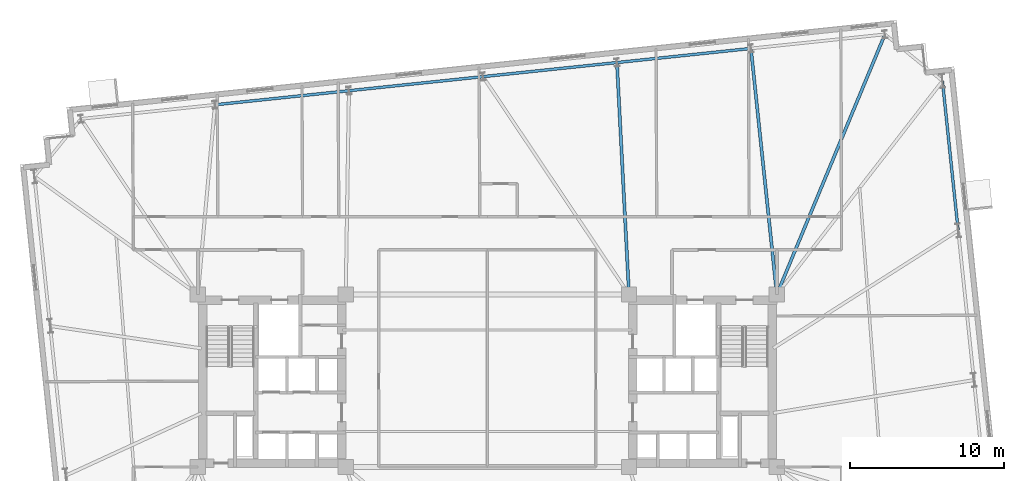
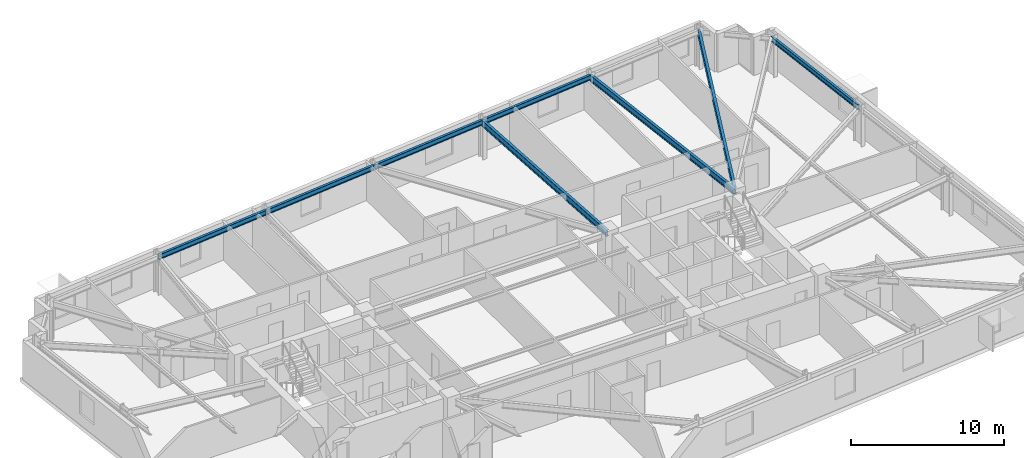
# One storey, part 9 of 17: 8 beams.
"""IFC4 building model written with IfcOpenShell, lengths in metres."""

import ifcopenshell
import ifcopenshell.guid

model = None  # the IFC model being written
_history = None  # IfcOwnerHistory: only IFC2X3 demands one
_inside = {}  # id of a spatial element -> (the spatial element, [elements in it])
_under = {}  # id of a project, library or spatial element -> (it, [spatial elements below it])
_declared = {}  # id of a project -> (the project, [libraries it declares])
_typed = {}  # id of a type object -> (the type object, [elements of that type])
_made_of = {}  # id of a material, layer set ... -> (it, [elements and type objects made of it])


def new_model(schema):
    """Start an empty IFC model of exactly this schema.

    Asked for "IFC4X3", IfcOpenShell would pick the latest addendum, in which some entities
    have other attributes; the version numbers below select the first issue.
    IFC2X3 requires an IfcOwnerHistory on every rooted entity: one is made here for all.
    """
    global model, _history
    if schema == "IFC4X3":
        model = ifcopenshell.file(schema_version=(4, 3, 0, 0))
    else:
        model = ifcopenshell.file(schema=schema)
    _inside.clear()
    _under.clear()
    _declared.clear()
    _typed.clear()
    _made_of.clear()
    _history = None
    if model.schema == "IFC2X3":
        org = make("IfcOrganization", Name="unknown")
        user = make(
            "IfcPersonAndOrganization",
            ThePerson=make("IfcPerson", FamilyName="unknown"),
            TheOrganization=org,
        )
        app = make(
            "IfcApplication",
            ApplicationDeveloper=org,
            Version="unknown",
            ApplicationFullName="unknown",
            ApplicationIdentifier="unknown",
        )
        _history = make(
            "IfcOwnerHistory",
            OwningUser=user,
            OwningApplication=app,
            ChangeAction="ADDED",
            CreationDate=0,
        )
    return model


def make(cls, **values):
    """One entity of the class cls with the attributes given. An attribute that is None is left unset."""
    return model.create_entity(
        cls, **{name: value for name, value in values.items() if value is not None}
    )


def rooted(cls, **values):
    """An entity with a GlobalId (a new one), such as an element, a storey or a relation."""
    return make(cls, GlobalId=ifcopenshell.guid.new(), OwnerHistory=_history, **values)


def si_unit(unit_type, name, prefix=None):
    """IfcSIUnit, for example si_unit("LENGTHUNIT", "METRE", prefix="MILLI")."""
    return make("IfcSIUnit", UnitType=unit_type, Prefix=prefix, Name=name)


def assignment(units):
    """IfcUnitAssignment: the units of a project."""
    return None if units is None else make("IfcUnitAssignment", Units=units)


def point(xyz):
    """IfcCartesianPoint."""
    return None if xyz is None else make("IfcCartesianPoint", Coordinates=xyz)


def direction(xyz):
    """IfcDirection."""
    return None if xyz is None else make("IfcDirection", DirectionRatios=xyz)


def frame(location, z_axis=None, x_axis=None):
    """IfcAxis2Placement3D, a coordinate frame: its origin and axes. An axis left out is left unset."""
    return make(
        "IfcAxis2Placement3D",
        Location=point(location),
        Axis=direction(z_axis),
        RefDirection=direction(x_axis),
    )


def frame_2d(location, x_axis=None):
    """IfcAxis2Placement2D, a coordinate frame in the plane: its origin and x axis."""
    return make(
        "IfcAxis2Placement2D", Location=point(location), RefDirection=direction(x_axis)
    )


def origin():
    """The frame at (0, 0, 0) with its axes left unset."""
    return frame((0.0, 0.0, 0.0))


def origin_2d():
    """The frame at (0, 0) in the plane with its x axis left unset."""
    return frame_2d((0.0, 0.0))


def place(relative_to, where):
    """IfcLocalPlacement: puts the frame where relative to a parent placement (None: the world)."""
    return make(
        "IfcLocalPlacement", PlacementRelTo=relative_to, RelativePlacement=where
    )


def context(
    kind, dimensions, precision=None, world=None, true_north=None, identifier=None
):
    """IfcGeometricRepresentationContext, for example the 3D "Model" context."""
    return make(
        "IfcGeometricRepresentationContext",
        ContextIdentifier=identifier,
        ContextType=kind,
        CoordinateSpaceDimension=dimensions,
        Precision=precision,
        WorldCoordinateSystem=world,
        TrueNorth=true_north,
    )


def subcontext(parent, identifier, kind, view, scale=None):
    """IfcGeometricRepresentationSubContext, for example "Body" below "Model"."""
    return make(
        "IfcGeometricRepresentationSubContext",
        ContextIdentifier=identifier,
        ContextType=kind,
        ParentContext=parent,
        TargetScale=scale,
        TargetView=view,
    )


def project(units=None, contexts=None):
    """IfcProject with its units and contexts."""
    return rooted(
        "IfcProject",
        Name="project",
        RepresentationContexts=contexts,
        UnitsInContext=assignment(units),
    )


def spatial(cls, under=None, at=None, **own):
    """A site, building, storey or space (cls), placed at a placement, below another one or the project."""
    s = rooted(cls, ObjectPlacement=at, **own)
    if under is not None:
        _under.setdefault(under.id(), (under, []))[1].append(s)
    return s


def profile(cls, at=None, kind="AREA", **sizes):
    """A parametric profile (cls). Its sizes go by their IFC names, for example OverallWidth=200.0."""
    return make(cls, ProfileType=kind, Position=at, **sizes)


def i_section(**sizes):
    """IfcIShapeProfileDef."""
    return profile("IfcIShapeProfileDef", **sizes)


def extrude(swept, where, along, depth):
    """IfcExtrudedAreaSolid: the profile swept, set in the frame where, extruded along a direction by depth."""
    return make(
        "IfcExtrudedAreaSolid",
        SweptArea=swept,
        Position=where,
        ExtrudedDirection=direction(along),
        Depth=depth,
    )


def shape(context_of_items, identifier, shape_type, items):
    """IfcShapeRepresentation: the items that make up one representation, for example the "Body"."""
    return make(
        "IfcShapeRepresentation",
        ContextOfItems=context_of_items,
        RepresentationIdentifier=identifier,
        RepresentationType=shape_type,
        Items=items,
    )


def material(Name=None, Category=None):
    """IfcMaterial."""
    return make("IfcMaterial", Name=Name, Category=Category)


def material_profile(
    of_material, cross_section, Name=None, Category=None, Priority=None
):
    """IfcMaterialProfile: a cross section and its material."""
    return make(
        "IfcMaterialProfile",
        Name=Name,
        Material=of_material,
        Profile=cross_section,
        Priority=Priority,
        Category=Category,
    )


def profile_set(profiles, Name=None, composite=None):
    """IfcMaterialProfileSet."""
    return make(
        "IfcMaterialProfileSet",
        Name=Name,
        MaterialProfiles=profiles,
        CompositeProfile=composite,
    )


def made_of(thing, what):
    """Note that an element or type object is made of a material, layer set ...; save() writes the relation."""
    if what is not None:
        _made_of.setdefault(what.id(), (what, []))[1].append(thing)
    return thing


def type_object(cls, material=None, **own):
    """A type object (cls), such as IfcWallType, which elements share."""
    return made_of(rooted(cls, **own), material)


def element(
    cls,
    number,
    at=None,
    inside=None,
    cuts=None,
    type_object=None,
    material=None,
    context=None,
    identifier="Body",
    shape_type=None,
    held_by="IfcProductDefinitionShape",
    body=None,
    shapes=None,
    **own,
):
    """One element of the class cls, such as IfcWall. Its Tag is "e" and its number.

    at: its placement. inside: the storey or other place that contains it. cuts: it is an
    opening in that element (IfcRelVoidsElement). A single representation is given by context,
    identifier, shape_type and body (its items); several are given by shapes. held_by: the class
    of the entity that holds the representations. save() writes the other relations.
    """
    e = rooted(cls, Tag="e%d" % number, ObjectPlacement=at, **own)
    if body is not None:
        shapes = [shape(context, identifier, shape_type, body)]
    if shapes is not None:
        e.Representation = make(held_by, Representations=shapes)
    if inside is not None:
        _inside.setdefault(inside.id(), (inside, []))[1].append(e)
    if cuts is not None:
        rooted(
            "IfcRelVoidsElement", RelatingBuildingElement=cuts, RelatedOpeningElement=e
        )
    if type_object is not None:
        _typed.setdefault(type_object.id(), (type_object, []))[1].append(e)
    return made_of(e, material)


def aggregate(whole, parts):
    """IfcRelAggregates: a whole, such as a stair, and the parts it consists of."""
    return rooted("IfcRelAggregates", RelatingObject=whole, RelatedObjects=parts)


def save(model, path):
    """Write the relations noted so far, then the file.

    IfcRelAggregates (storeys below a building ...), IfcRelContainedInSpatialStructure (elements
    in a storey), IfcRelDefinesByType, IfcRelAssociatesMaterial and IfcRelDeclares: one each for
    every whole, place, type object, material and project.
    """
    for whole, parts in _under.values():
        aggregate(whole, parts)
    for where, things in _inside.values():
        rooted(
            "IfcRelContainedInSpatialStructure",
            RelatedElements=things,
            RelatingStructure=where,
        )
    for kind, things in _typed.values():
        rooted("IfcRelDefinesByType", RelatedObjects=things, RelatingType=kind)
    for what, things in _made_of.values():
        rooted("IfcRelAssociatesMaterial", RelatedObjects=things, RelatingMaterial=what)
    for by, libraries in _declared.values():
        rooted("IfcRelDeclares", RelatingContext=by, RelatedDefinitions=libraries)
    model.write(path)


model = new_model("IFC4")

# Units and contexts
model_context = context("Model", 3, precision=1e-05, world=origin(), true_north=direction((0.0, 1.0)))
body_context = subcontext(model_context, "Body", "Model", "MODEL_VIEW")
ifc_project = project(units=[si_unit("LENGTHUNIT", "METRE"), si_unit("AREAUNIT", "SQUARE_METRE"), si_unit("VOLUMEUNIT", "CUBIC_METRE"), si_unit("PLANEANGLEUNIT", "RADIAN"), si_unit("MASSUNIT", "GRAM", prefix="KILO")], contexts=[model_context])

# Site, building, storey
site_placement = place(None, origin())
site = spatial("IfcSite", under=ifc_project, at=site_placement, CompositionType="ELEMENT")
building_placement = place(site_placement, origin())
building = spatial("IfcBuilding", under=site, at=building_placement, Name="Qobustan Lattice House", CompositionType="ELEMENT")
storey_placement = place(building_placement, frame((0.0, 0.0, 105.800048828125)))
storey = spatial("IfcBuildingStorey", under=building, at=storey_placement, Name="L29", CompositionType="ELEMENT", Elevation=105.800048828125)

# Beams
ifc_material_1 = material(Name="Steel S355", Category="steel")
ifc_material_profile_1 = material_profile(ifc_material_1, i_section(OverallWidth=0.199951171875, OverallDepth=0.5, WebThickness=0.01025390625, FlangeThickness=0.01611328125, FilletRadius=0.02099609375, at=origin_2d()), Name="IPE500")
ifc_profile_set_1 = profile_set([ifc_material_profile_1], Name="Steel S355")
beam_type_1 = type_object("IfcBeamType", Name="BM-FLG-IPE500", PredefinedType="USERDEFINED", material=ifc_profile_set_1)
beam_1_placement = place(storey_placement, frame((8.41650390625, 20.640625, 2.794921875), z_axis=(0.052023629628, -0.998645854125, 0.0), x_axis=(0.998645854125, 0.052023629628, 0.0)))
element("IfcBeam", 1, at=beam_1_placement, inside=storey, type_object=beam_type_1, Name="L29 primary floor girder RAD-N3", ObjectType="GIRDER", PredefinedType="USERDEFINED", context=body_context, shape_type="SweptSolid", body=[
    extrude(i_section(OverallWidth=0.199951171875, OverallDepth=0.5, WebThickness=0.01025390625, FlangeThickness=0.01611328125, FilletRadius=0.02099609375, at=origin_2d()), origin(), (0.0, 0.0, 1.0), 15.035888671875),
])
beam_2_placement = place(storey_placement, frame((17.1201171875, 21.555419921875, 2.794921875), z_axis=(0.104706999053, -0.994503114298, 0.0), x_axis=(0.994503114298, 0.104706999053, 0.0)))
element("IfcBeam", 2, at=beam_2_placement, inside=storey, type_object=beam_type_1, Name="L29 primary floor girder RAD-N2", ObjectType="GIRDER", PredefinedType="USERDEFINED", context=body_context, shape_type="SweptSolid", body=[
    extrude(i_section(OverallWidth=0.199951171875, OverallDepth=0.5, WebThickness=0.01025390625, FlangeThickness=0.01611328125, FilletRadius=0.02099609375, at=origin_2d()), origin(), (0.0, 0.0, 1.0), 16.0185546875),
])
beam_3_placement = place(storey_placement, frame((25.809814453125, 22.471923828125, 2.794921875), z_axis=(-0.383675501465, -0.923467979724, 0.0), x_axis=(0.923467979724, -0.383675501465, 0.0)))
element("IfcBeam", 3, at=beam_3_placement, inside=storey, type_object=beam_type_1, Name="L29 primary floor girder RAD-N1E", ObjectType="GIRDER", PredefinedType="USERDEFINED", context=body_context, shape_type="SweptSolid", body=[
    extrude(i_section(OverallWidth=0.199951171875, OverallDepth=0.5, WebThickness=0.01025390625, FlangeThickness=0.01611328125, FilletRadius=0.02099609375, at=origin_2d()), origin(), (0.0, 0.0, 1.0), 18.2451171875),
])
ifc_material_2 = material(Name="Steel S355", Category="steel")
ifc_material_profile_2 = material_profile(ifc_material_2, i_section(OverallWidth=0.179931640625, OverallDepth=0.39990234375, WebThickness=0.008544921875, FlangeThickness=0.013427734375, FilletRadius=0.02099609375, at=origin_2d()), Name="IPE400")
ifc_profile_set_2 = profile_set([ifc_material_profile_2], Name="Steel S355")
beam_type_2 = type_object("IfcBeamType", Name="BM-SPD-IPE400", PredefinedType="SPANDREL", material=ifc_profile_set_2)
beam_4_placement = place(storey_placement, frame((30.574462890625, 9.78076171875, 2.844970703125), z_axis=(-0.104525214252, 0.994522236848, 0.0), x_axis=(-0.994522236848, -0.104525214252, 0.0)))
element("IfcBeam", 4, at=beam_4_placement, inside=storey, type_object=beam_type_2, Name="L29 perimeter spandrel E3-E4", PredefinedType="SPANDREL", context=body_context, shape_type="SweptSolid", body=[
    extrude(i_section(OverallWidth=0.179931640625, OverallDepth=0.39990234375, WebThickness=0.008544921875, FlangeThickness=0.013427734375, FilletRadius=0.02099609375, at=origin_2d()), origin(), (0.0, 0.0, 1.0), 9.716552734375),
])
beam_5_placement = place(storey_placement, frame((17.092529296875, 21.577880859375, 2.844970703125), z_axis=(-0.994518668742, -0.104559158006, 0.0), x_axis=(0.104559158006, -0.994518668742, 0.0)))
element("IfcBeam", 5, at=beam_5_placement, inside=storey, type_object=beam_type_2, Name="L29 perimeter spandrel N2-N3", PredefinedType="SPANDREL", context=body_context, shape_type="SweptSolid", body=[
    extrude(i_section(OverallWidth=0.179931640625, OverallDepth=0.39990234375, WebThickness=0.008544921875, FlangeThickness=0.013427734375, FilletRadius=0.02099609375, at=origin_2d()), origin(), (0.0, 0.0, 1.0), 8.699951171875),
])
beam_6_placement = place(storey_placement, frame((8.390380859375, 20.6630859375, 2.844970703125), z_axis=(-0.994521279781, -0.10453432002, 0.0), x_axis=(0.10453432002, -0.994521279781, 0.0)))
element("IfcBeam", 6, at=beam_6_placement, inside=storey, type_object=beam_type_2, Name="L29 perimeter spandrel N3-N4", PredefinedType="SPANDREL", context=body_context, shape_type="SweptSolid", body=[
    extrude(i_section(OverallWidth=0.179931640625, OverallDepth=0.39990234375, WebThickness=0.008544921875, FlangeThickness=0.013427734375, FilletRadius=0.02099609375, at=origin_2d()), origin(), (0.0, 0.0, 1.0), 8.69970703125),
])
for number, where, z_axis, x_axis, name in (
    (7, (-0.3115234375, 19.74853515625, 2.844970703125), (-0.994521586424, -0.104531402636, 0.0), (0.104531402636, -0.994521586424, 0.0), "L29 perimeter spandrel N4-N5"),
    (8, (-9.013671875, 18.833984375, 2.844970703125), (-0.994521586424, -0.104531402636, 0.0), (0.104531402636, -0.994521586424, 0.0), "L29 perimeter spandrel N5-N6"),
):
    element("IfcBeam", number, at=place(storey_placement, frame(where, z_axis=z_axis, x_axis=x_axis)), inside=storey, type_object=beam_type_2, Name=name, PredefinedType="SPANDREL", context=body_context, shape_type="SweptSolid", body=[
        extrude(i_section(OverallWidth=0.179931640625, OverallDepth=0.39990234375, WebThickness=0.008544921875, FlangeThickness=0.013427734375, FilletRadius=0.02099609375, at=origin_2d()), origin(), (0.0, 0.0, 1.0), 8.699951171875),
    ])

save(model, "model.ifc")
